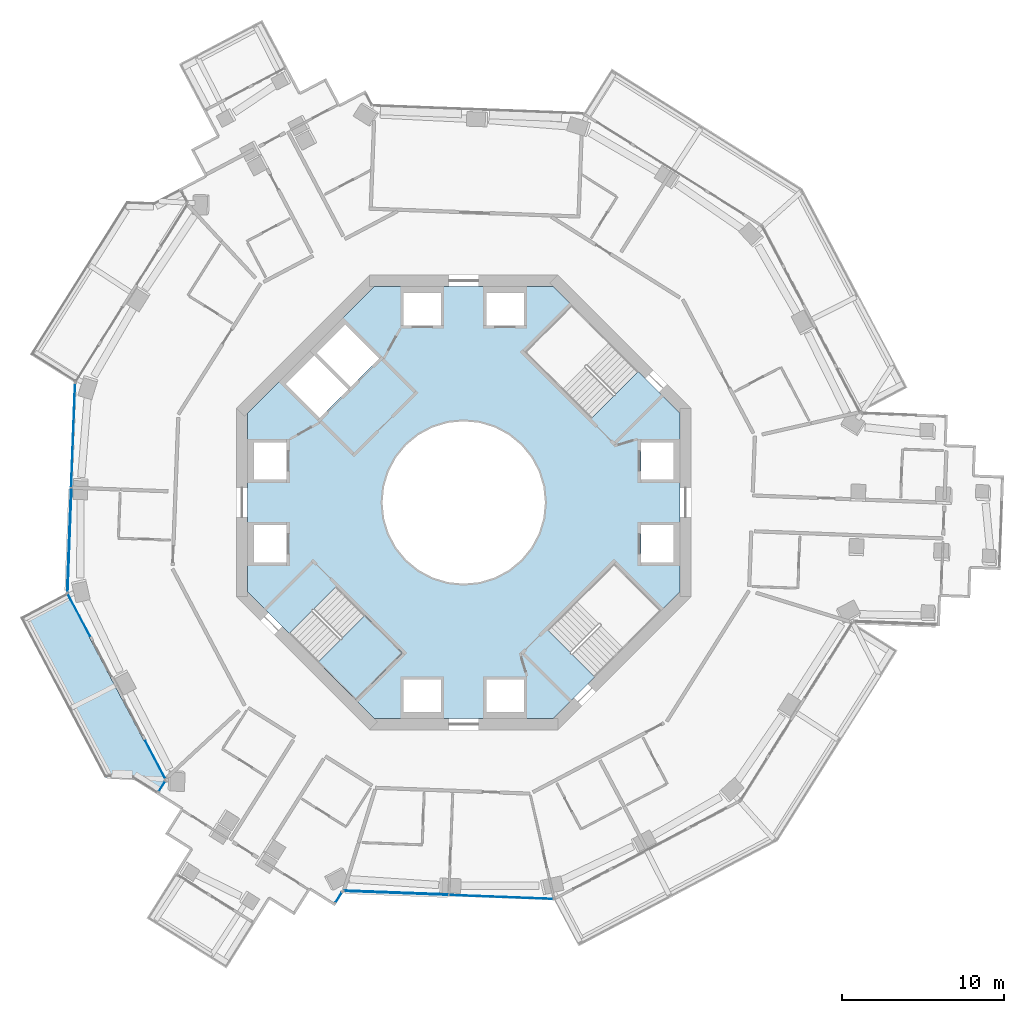
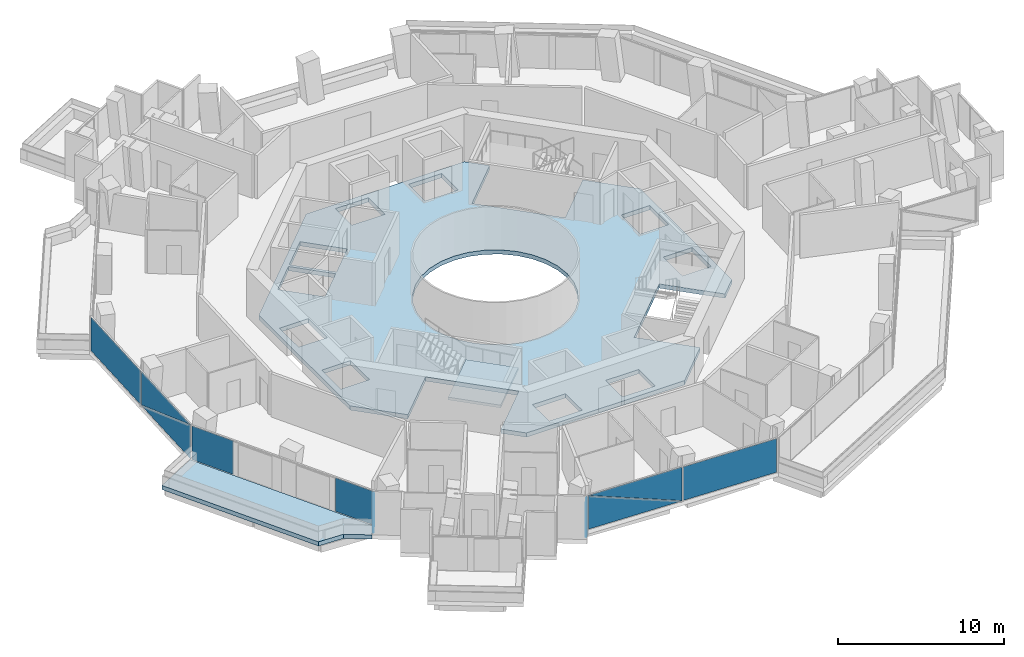
# One storey, part 11 of 23: 10 plates, 3 slabs, 6 elements without a shape of their own.
"""IFC4 building model written with IfcOpenShell, lengths in metres."""

from ifc_helpers import new_model, si_unit, direction, frame, origin, origin_2d, place, context, subcontext, project, spatial, polyline, rectangle, outline, extrude, material, layer, layer_set, type_object, element, aggregate, save


model = new_model("IFC4")

# Units and contexts
model_context = context("Model", 3, precision=1e-05, world=origin(), true_north=direction((0.0, 1.0)))
body_context = subcontext(model_context, "Body", "Model", "MODEL_VIEW")
ifc_project = project(units=[si_unit("LENGTHUNIT", "METRE"), si_unit("AREAUNIT", "SQUARE_METRE"), si_unit("VOLUMEUNIT", "CUBIC_METRE"), si_unit("PLANEANGLEUNIT", "RADIAN"), si_unit("MASSUNIT", "GRAM", prefix="KILO")], contexts=[model_context])

# Site, building, storey
site_placement = place(None, origin())
site = spatial("IfcSite", under=ifc_project, at=site_placement, CompositionType="ELEMENT")
building_placement = place(site_placement, origin())
building = spatial("IfcBuilding", under=site, at=building_placement, Name="Verdalira Terraces Hotel", CompositionType="ELEMENT")
storey_placement = place(building_placement, frame((0.0, 0.0, 147.0)))
storey = spatial("IfcBuildingStorey", under=building, at=storey_placement, Name="L35", CompositionType="ELEMENT", Elevation=147.0)

# Slab
ifc_material_1 = material(Name="Precast concrete C40/50", Category="concrete")
ifc_layer_1 = layer(ifc_material_1, 0.31005859375)
ifc_layer_set_1 = layer_set([ifc_layer_1], Name="Balcony deck 310")
slab_type_1 = type_object("IfcSlabType", Name="Balcony deck 310", PredefinedType="FLOOR", material=ifc_layer_set_1)
slab_1_placement = place(storey_placement, frame((0.0, 0.0, -0.310059)))
element("IfcSlab", 1, at=slab_1_placement, inside=storey, type_object=slab_type_1, Name="Balcony deck", PredefinedType="FLOOR", context=body_context, shape_type="SweptSolid", body=[
    extrude(outline(polyline([(-27.315674, -7.075439), (-22.107422, -16.937012), (-20.413574, -17.000977), (-18.947266, -17.922852), (-18.415039, -17.076416), (-24.486084, -5.581055), (-27.315674, -7.075439)])), origin(), (0.0, 0.0, 1.0), 0.310059),
])

# Curtain wall, plates
ifc_material_2 = material(Name="Clear glass", Category="glass")
ifc_layer_2 = layer(ifc_material_2, 0.14990234375)
ifc_layer_set_2 = layer_set([ifc_layer_2], Name="CW1 curtain wall")
curtain_wall_type_1 = type_object("IfcCurtainWallType", Name="CW1 curtain wall", PredefinedType="NOTDEFINED", material=ifc_layer_set_2)
curtain_wall_1_placement = place(storey_placement, origin())
curtain_wall_1 = element("IfcCurtainWall", 2, at=curtain_wall_1_placement, inside=storey, type_object=curtain_wall_type_1, Name="CW1 curtain wall L35 edge 12", PredefinedType="NOTDEFINED")
ifc_material_3 = material(Name="Clear glass", Category="glass")
ifc_layer_3 = layer(ifc_material_3, 0.028076171875)
ifc_layer_set_3 = layer_set([ifc_layer_3], Name="CW1 glass unit 28")
plate_type_1 = type_object("IfcPlateType", Name="CW1 glass unit 28", PredefinedType="CURTAIN_PANEL", material=ifc_layer_set_3)
plate_1_placement = place(storey_placement, frame((-24.044922, 4.124023, 0.0), z_axis=(0.0, 0.0, 1.0), x_axis=(-0.037690183, -0.999289473, 0.0)))
plate_1 = element("IfcPlate", 3, at=plate_1_placement, type_object=plate_type_1, Name="CW1 glass unit", PredefinedType="CURTAIN_PANEL", context=body_context, shape_type="SweptSolid", body=[
    extrude(rectangle(XDim=6.369873, YDim=0.028076, at=origin_2d()), origin(), (0.0, 0.0, 1.0), 2.475098),
])
plate_2_placement = place(storey_placement, frame((-24.273438, -2.301514, 1.237549), z_axis=(-0.999289473, 0.037690183, 0.0), x_axis=(-0.037690183, -0.999289473, 0.0)))
plate_2 = element("IfcPlate", 4, at=plate_2_placement, type_object=plate_type_1, Name="CW1 glass unit", PredefinedType="CURTAIN_PANEL", context=body_context, shape_type="SweptSolid", body=[
    extrude(outline(polyline([(-3.185059, -1.237549), (3.185059, -1.237549), (3.185059, 1.237549), (-3.185059, -1.237549)])), origin(), (0.0, 0.0, 1.0), 0.028076),
])
plate_3_placement = place(storey_placement, frame((-24.244385, -2.302734, 1.237549), z_axis=(-0.999289473, 0.037690183, 0.0), x_axis=(-0.037690183, -0.999289473, 0.0)))
plate_3 = element("IfcPlate", 5, at=plate_3_placement, type_object=plate_type_1, Name="CW1 glass unit", PredefinedType="CURTAIN_PANEL", context=body_context, shape_type="SweptSolid", body=[
    extrude(outline(polyline([(-3.185059, -1.237549), (3.185059, 1.237549), (-3.185059, 1.237549), (-3.185059, -1.237549)])), origin(), (0.0, 0.0, 1.0), 0.028076),
])
aggregate(curtain_wall_1, [plate_1, plate_2, plate_3])

curtain_wall_2_placement = place(storey_placement, origin())
curtain_wall_2 = element("IfcCurtainWall", 6, at=curtain_wall_2_placement, inside=storey, type_object=curtain_wall_type_1, Name="CW1 curtain wall L35 edge 13", PredefinedType="NOTDEFINED")
plate_4_placement = place(storey_placement, frame((-23.689941, -6.927734, 0.0), z_axis=(0.0, 0.0, 1.0), x_axis=(0.467004081, -0.88425516, 0.0)))
plate_4 = element("IfcPlate", 7, at=plate_4_placement, type_object=plate_type_1, Name="CW1 glass unit", PredefinedType="CURTAIN_PANEL", context=body_context, shape_type="SweptSolid", body=[
    extrude(rectangle(XDim=2.924805, YDim=0.028076, at=origin_2d()), origin(), (0.0, 0.0, 1.0), 2.475098),
])
plate_5_placement = place(storey_placement, frame((-18.984863, -15.836914, 0.0), z_axis=(0.0, 0.0, 1.0), x_axis=(0.467004081, -0.88425516, 0.0)))
plate_5 = element("IfcPlate", 8, at=plate_5_placement, type_object=plate_type_1, Name="CW1 glass unit", PredefinedType="CURTAIN_PANEL", context=body_context, shape_type="SweptSolid", body=[
    extrude(rectangle(XDim=2.604492, YDim=0.028076, at=origin_2d()), origin(), (0.0, 0.0, 1.0), 2.475098),
])
aggregate(curtain_wall_2, [plate_4, plate_5])

curtain_wall_3_placement = place(storey_placement, origin())
curtain_wall_3 = element("IfcCurtainWall", 9, at=curtain_wall_3_placement, inside=storey, type_object=curtain_wall_type_1, Name="CW1 curtain wall L35 edge 25", PredefinedType="NOTDEFINED")
plate_6_placement = place(storey_placement, frame((-4.143799, -24.030273, 1.237549), z_axis=(-0.037690183, -0.999289473, 0.0), x_axis=(0.999289473, -0.037690183, 0.0)))
plate_6 = element("IfcPlate", 10, at=plate_6_placement, type_object=plate_type_1, Name="CW1 glass unit", PredefinedType="CURTAIN_PANEL", context=body_context, shape_type="SweptSolid", body=[
    extrude(outline(polyline([(-3.205078, -1.237549), (3.205078, -1.237549), (-3.205078, 1.237549), (-3.205078, -1.237549)])), origin(), (0.0, 0.0, 1.0), 0.028076),
])
plate_7_placement = place(storey_placement, frame((-4.142578, -24.001221, 1.237549), z_axis=(-0.037690183, -0.999289473, 0.0), x_axis=(0.999289473, -0.037690183, 0.0)))
plate_7 = element("IfcPlate", 11, at=plate_7_placement, type_object=plate_type_1, Name="CW1 glass unit", PredefinedType="CURTAIN_PANEL", context=body_context, shape_type="SweptSolid", body=[
    extrude(outline(polyline([(3.205078, -1.237549), (3.205078, 1.237549), (-3.205078, 1.237549), (3.205078, -1.237549)])), origin(), (0.0, 0.0, 1.0), 0.028076),
])
plate_8_placement = place(storey_placement, frame((2.301025, -24.287354, 0.0), z_axis=(0.0, 0.0, 1.0), x_axis=(0.999289473, -0.037690183, 0.0)))
plate_8 = element("IfcPlate", 12, at=plate_8_placement, type_object=plate_type_1, Name="CW1 glass unit", PredefinedType="CURTAIN_PANEL", context=body_context, shape_type="SweptSolid", body=[
    extrude(rectangle(XDim=6.369873, YDim=0.028076, at=origin_2d()), origin(), (0.0, 0.0, 1.0), 2.475098),
])
aggregate(curtain_wall_3, [plate_6, plate_7, plate_8])

# Curtain wall, plate
ifc_material_4 = material(Name="Clear glass", Category="glass")
ifc_layer_4 = layer(ifc_material_4, 0.14990234375)
ifc_layer_set_4 = layer_set([ifc_layer_4], Name="CW2 curtain wall")
curtain_wall_type_2 = type_object("IfcCurtainWallType", Name="CW2 curtain wall", PredefinedType="NOTDEFINED", material=ifc_layer_set_4)
curtain_wall_4_placement = place(storey_placement, origin())
curtain_wall_4 = element("IfcCurtainWall", 13, at=curtain_wall_4_placement, inside=storey, type_object=curtain_wall_type_2, Name="CW2 curtain wall L35 edge 14", PredefinedType="NOTDEFINED")
ifc_material_5 = material(Name="Clear glass", Category="glass")
ifc_layer_5 = layer(ifc_material_5, 0.031982421875)
ifc_layer_set_5 = layer_set([ifc_layer_5], Name="CW2 glass unit 32")
plate_type_2 = type_object("IfcPlateType", Name="CW2 glass unit 32", PredefinedType="CURTAIN_PANEL", material=ifc_layer_set_5)
plate_9_placement = place(storey_placement, frame((-18.577637, -17.476074, 0.0), z_axis=(0.0, 0.0, 1.0), x_axis=(-0.532285392, -0.846564978, 0.0)))
plate_9 = element("IfcPlate", 14, at=plate_9_placement, type_object=plate_type_2, Name="CW2 glass unit", PredefinedType="CURTAIN_PANEL", context=body_context, shape_type="SweptSolid", body=[
    extrude(rectangle(XDim=0.709961, YDim=0.031982, at=origin_2d()), origin(), (0.0, 0.0, 1.0), 2.475098),
])
aggregate(curtain_wall_4, [plate_9])

curtain_wall_5_placement = place(storey_placement, origin())
curtain_wall_5 = element("IfcCurtainWall", 15, at=curtain_wall_5_placement, inside=storey, type_object=curtain_wall_type_2, Name="CW2 curtain wall L35 edge 24", PredefinedType="NOTDEFINED")
plate_10_placement = place(storey_placement, frame((-7.699463, -24.315918, 0.0), z_axis=(0.0, 0.0, 1.0), x_axis=(0.532285392, 0.846564978, 0.0)))
plate_10 = element("IfcPlate", 16, at=plate_10_placement, type_object=plate_type_2, Name="CW2 glass unit", PredefinedType="CURTAIN_PANEL", context=body_context, shape_type="SweptSolid", body=[
    extrude(rectangle(XDim=0.709961, YDim=0.031982, at=origin_2d()), origin(), (0.0, 0.0, 1.0), 2.475098),
])
aggregate(curtain_wall_5, [plate_10])

# Slab
ifc_material_6 = material(Name="Concrete C40", Category="concrete")
ifc_layer_6 = layer(ifc_material_6, 0.31005859375)
ifc_layer_set_6 = layer_set([ifc_layer_6], Name="Core floor slab 310 mm")
slab_type_2 = type_object("IfcSlabType", Name="Core floor slab 310 mm", PredefinedType="FLOOR", material=ifc_layer_set_6)
slab_2_placement = place(storey_placement, frame((0.0, 0.0, -0.310059)))
element("IfcSlab", 17, at=slab_2_placement, inside=storey, type_object=slab_type_2, Name="L35 core floor", PredefinedType="FLOOR", context=body_context, shape_type="SweptSolid", body=[
    extrude(outline(polyline([(-5.509033, 13.300049), (5.509033, 13.300049), (6.632812, 12.176514), (3.719482, 9.263184), (7.834473, 5.148193), (10.747803, 8.061279), (13.300049, 5.509033), (13.300049, -5.509033), (12.176514, -6.632812), (9.263184, -3.719482), (5.148193, -7.834473), (8.061279, -10.747803), (5.509033, -13.300049), (-5.509033, -13.300049), (-6.632812, -12.176514), (-3.719482, -9.263184), (-7.834473, -5.148193), (-10.747803, -8.061279), (-13.300049, -5.509033), (-13.300049, 5.509033), (-5.509033, 13.300049)]), holes=[polyline([(12.899902, -3.699951), (12.899902, -1.399902), (10.899902, -1.399902), (10.899902, -3.699951), (12.899902, -3.699951)]), polyline([(12.899902, 1.399902), (12.899902, 3.699951), (10.899902, 3.699951), (10.899902, 1.399902), (12.899902, 1.399902)]), polyline([(1.399902, 10.899902), (3.699951, 10.899902), (3.699951, 12.899902), (1.399902, 12.899902), (1.399902, 10.899902)]), polyline([(-3.699951, 10.899902), (-1.399902, 10.899902), (-1.399902, 12.899902), (-3.699951, 12.899902), (-3.699951, 10.899902)]), polyline([(-12.899902, 3.699951), (-12.899902, 1.399902), (-10.899902, 1.399902), (-10.899902, 3.699951), (-12.899902, 3.699951)]), polyline([(-12.899902, -1.399902), (-12.899902, -3.699951), (-10.899902, -3.699951), (-10.899902, -1.399902), (-12.899902, -1.399902)]), polyline([(-1.399902, -10.899902), (-3.699951, -10.899902), (-3.699951, -12.899902), (-1.399902, -12.899902), (-1.399902, -10.899902)]), polyline([(3.699951, -10.899902), (1.399902, -10.899902), (1.399902, -12.899902), (3.699951, -12.899902), (3.699951, -10.899902)]), polyline([(-9.051025, 9.192383), (-6.965088, 7.106445), (-5.197266, 8.874268), (-7.283203, 10.960205), (-9.051025, 9.192383)]), polyline([(-9.192383, 9.051025), (-10.960205, 7.283203), (-8.874268, 5.197266), (-7.106445, 6.965088), (-9.192383, 9.051025)]), polyline([(3.5354, 3.5354), (2.777832, 4.157227), (1.91333, 4.619385), (0.975586, 4.903809), (0.0, 5.0), (-0.975586, 4.903809), (-1.91333, 4.619385), (-2.777832, 4.157227), (-3.5354, 3.5354), (-4.157227, 2.777832), (-4.619385, 1.91333), (-4.903809, 0.975586), (-5.0, 0.0), (-4.903809, -0.975586), (-4.619385, -1.91333), (-4.157227, -2.777832), (-3.5354, -3.5354), (-2.777832, -4.157227), (-1.91333, -4.619385), (-0.975586, -4.903809), (0.0, -5.0), (0.975586, -4.903809), (1.91333, -4.619385), (2.777832, -4.157227), (3.5354, -3.5354), (4.157227, -2.777832), (4.619385, -1.91333), (4.903809, -0.975586), (5.0, 0.0), (4.903809, 0.975586), (4.619385, 1.91333), (4.157227, 2.777832), (3.5354, 3.5354)])]), origin(), (0.0, 0.0, 1.0), 0.310059),
])

# Stair, slab
ifc_material_7 = material(Name="Concrete C40", Category="concrete")
stair_type = type_object("IfcStairType", Name="Core stair 20 risers 2000 mm wide", PredefinedType="HALF_TURN_STAIR", material=ifc_material_7)
stair_placement = place(storey_placement, origin())
stair = element("IfcStair", 18, at=stair_placement, inside=storey, type_object=stair_type, Name="L35 Exit stair ST2", PredefinedType="HALF_TURN_STAIR")
ifc_material_8 = material(Name="Concrete C40", Category="concrete")
ifc_layer_7 = layer(ifc_material_8, 0.199951171875)
ifc_layer_set_7 = layer_set([ifc_layer_7], Name="Core stair landing 200 mm")
slab_type_3 = type_object("IfcSlabType", Name="Core stair landing 200 mm", PredefinedType="LANDING", material=ifc_layer_set_7)
slab_3_placement = place(storey_placement, frame((0.0, 0.0, 1.550049)))
slab_3 = element("IfcSlab", 19, at=slab_3_placement, type_object=slab_type_3, Name="ST2 landing 1", PredefinedType="LANDING", context=body_context, shape_type="SweptSolid", body=[
    extrude(outline(polyline([(-8.966553, -9.842529), (-6.646729, -12.162354), (-3.747559, -9.263184), (-6.067383, -6.943359), (-8.966553, -9.842529)])), origin(), (0.0, 0.0, 1.0), 0.199951),
])
aggregate(stair, [slab_3])

save(model, "model.ifc")
